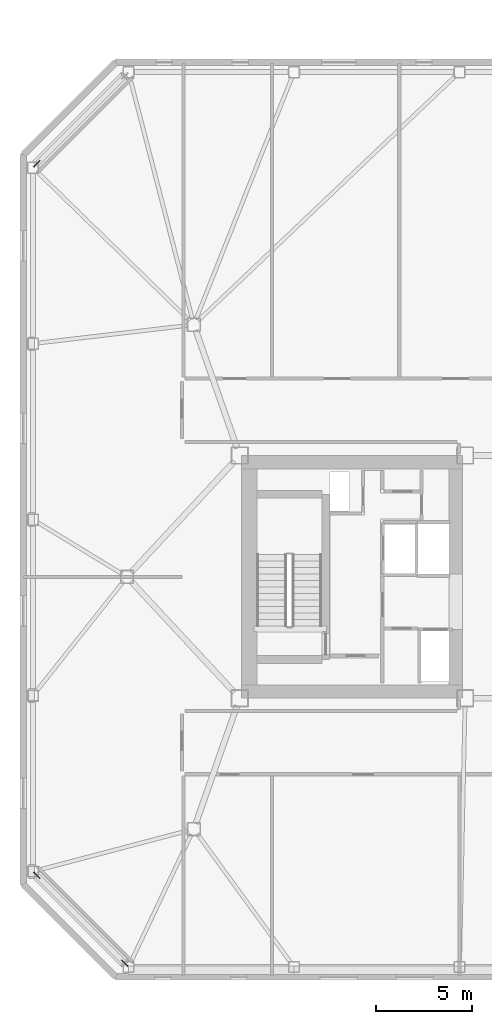
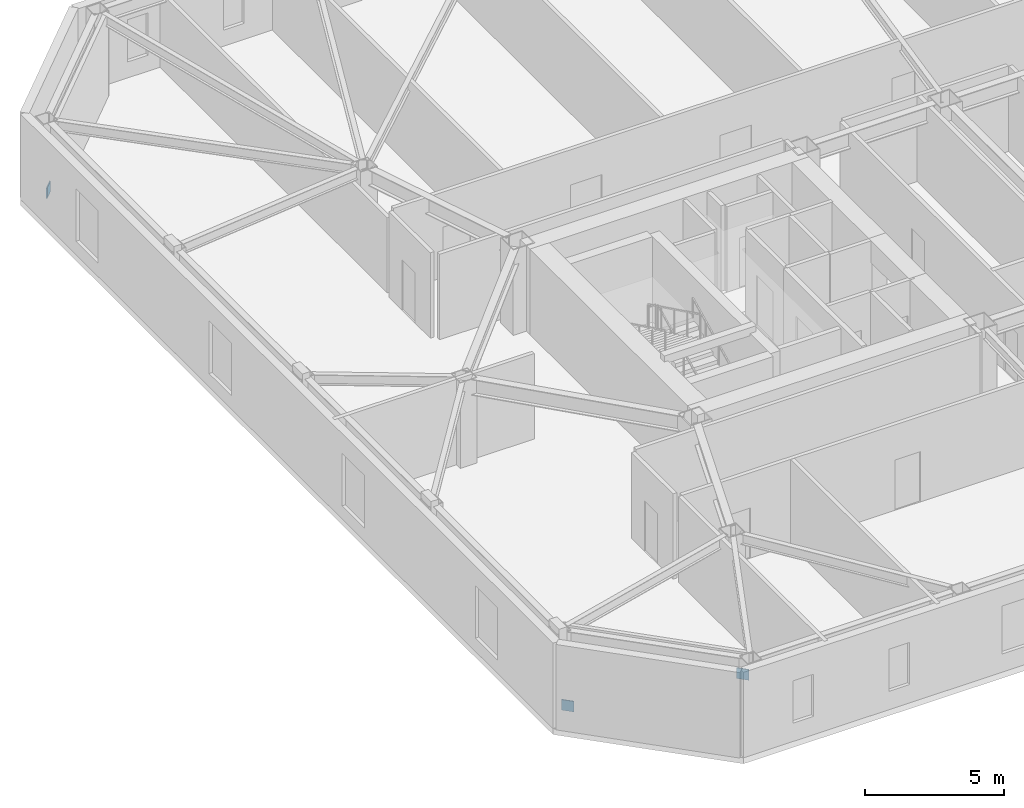
# One storey, part 15 of 18: 3 discrete accessories.
"""IFC4 building model written with IfcOpenShell, lengths in metres."""

from ifc_helpers import new_model, si_unit, direction, frame, origin, origin_2d, place, context, subcontext, project, spatial, rectangle, extrude, material, type_object, element, save


model = new_model("IFC4")

# Units and contexts
model_context = context("Model", 3, precision=1e-05, world=origin(), true_north=direction((0.0, 1.0)))
body_context = subcontext(model_context, "Body", "Model", "MODEL_VIEW")
ifc_project = project(units=[si_unit("LENGTHUNIT", "METRE"), si_unit("AREAUNIT", "SQUARE_METRE"), si_unit("VOLUMEUNIT", "CUBIC_METRE"), si_unit("PLANEANGLEUNIT", "RADIAN"), si_unit("MASSUNIT", "GRAM", prefix="KILO")], contexts=[model_context])

# Site, building, storey
site_placement = place(None, origin())
site = spatial("IfcSite", under=ifc_project, at=site_placement, CompositionType="ELEMENT")
building_placement = place(site_placement, origin())
building = spatial("IfcBuilding", under=site, at=building_placement, Name="Tavrogorsk Clinical Tower", CompositionType="ELEMENT")
storey_placement = place(building_placement, frame((0.0, 0.0, 180.199951171875)))
storey = spatial("IfcBuildingStorey", under=building, at=storey_placement, Name="L41", CompositionType="ELEMENT", Elevation=180.199951171875)

# Discrete accessories
ifc_material = material(Name="Structural steel S440", Category="steel")
discrete_accessory_type = type_object("IfcDiscreteAccessoryType", Name="GussetPlateBracket_25", PredefinedType="BRACKET", material=ifc_material)
for number, where, z_axis, x_axis, name in (
    (1, (-32.717529296875, 21.62255859375, 0.18310546875), (0.0, 0.0, 1.0), (0.707106781187, 0.707106781187, 0.0), "L41 Brace Gusset Plate EXOCRN-L41-3-A"),
    (2, (-32.717529296875, -15.62255859375, 0.18310546875), (0.0, 0.0, 1.0), (0.707106781187, -0.707106781187, 0.0), "L41 Brace Gusset Plate EXOCRN-L41-4-A"),
    (3, (-28.12255859375, -20.217529296875, 2.7470703125), (0.0, 0.0, 1.0), (0.707106781187, -0.707106781187, 0.0), "L41 Brace Gusset Plate EXOCRN-L41-4-B"),
):
    element("IfcDiscreteAccessory", number, at=place(storey_placement, frame(where, z_axis=z_axis, x_axis=x_axis)), inside=storey, type_object=discrete_accessory_type, Name=name, PredefinedType="BRACKET", context=body_context, shape_type="SweptSolid", body=[
        extrude(rectangle(XDim=0.4599609375, YDim=0.0400390625, at=origin_2d()), origin(), (0.0, 0.0, 1.0), 0.4599609375),
    ])

save(model, "model.ifc")
